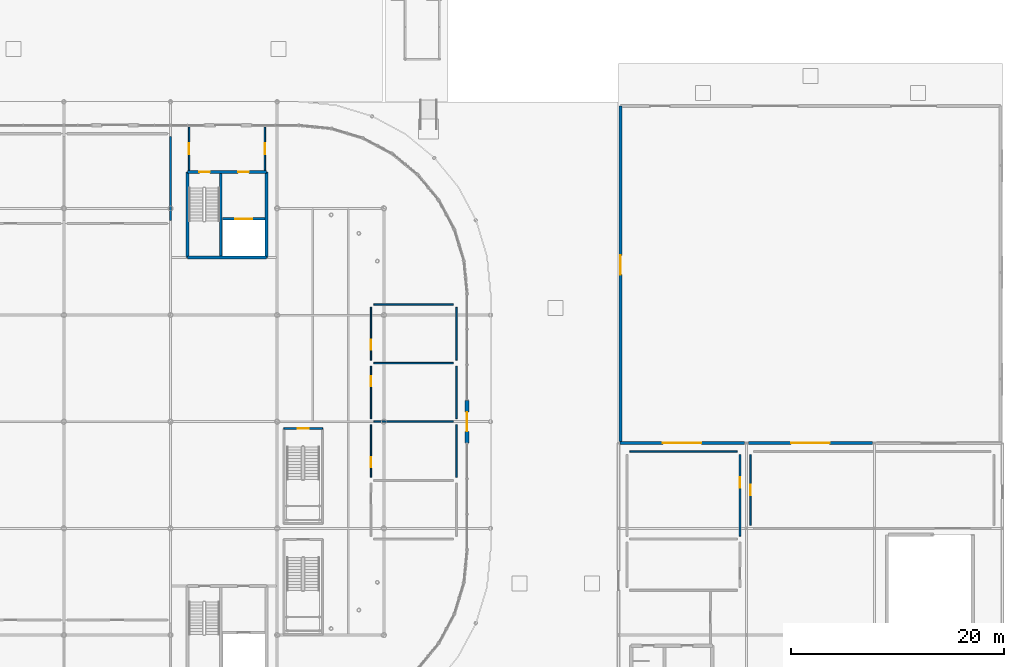
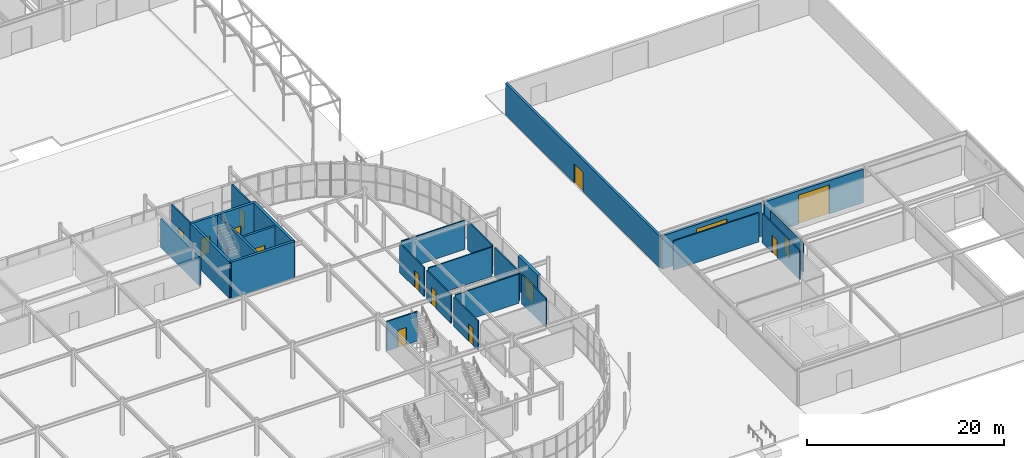
# One storey, part 94 of 119: 26 walls, 15 doors, 15 openings.
"""IFC4 building model written with IfcOpenShell, lengths in metres."""

from ifc_helpers import new_model, si_unit, derived_unit, direction, frame, frame_2d, origin, place, context, subcontext, project, spatial, rectangle, extrude, material, layer, layer_set, type_object, element, fill, save


model = new_model("IFC4")

# Units and contexts
model_context = context("Model", 3, precision=1e-05, world=origin(), true_north=direction((0.0, 1.0)))
body_context = subcontext(model_context, "Body", "Model", "MODEL_VIEW")
ifc_project = project(units=[si_unit("LENGTHUNIT", "METRE"), si_unit("AREAUNIT", "SQUARE_METRE"), si_unit("VOLUMEUNIT", "CUBIC_METRE"), si_unit("PLANEANGLEUNIT", "RADIAN"), si_unit("MASSUNIT", "GRAM", prefix="KILO"), derived_unit("THERMALTRANSMITTANCEUNIT", [(si_unit("POWERUNIT", "WATT"), 1), (si_unit("LENGTHUNIT", "METRE"), -2), (si_unit("THERMODYNAMICTEMPERATUREUNIT", "KELVIN"), -1)])], contexts=[model_context])

# Site, building, storey
site_placement = place(None, origin())
site = spatial("IfcSite", under=ifc_project, at=site_placement, CompositionType="ELEMENT")
building_placement = place(site_placement, origin())
building = spatial("IfcBuilding", under=site, at=building_placement, Name="Cinnabar Yard Market Hall", CompositionType="ELEMENT")
storey_placement = place(building_placement, origin())
storey = spatial("IfcBuildingStorey", under=building, at=storey_placement, Name="L00", CompositionType="ELEMENT", Elevation=0.0)

# Walls
ifc_material_1 = material(Name="Moisture-resistant tiled service wall")
ifc_layer_1 = layer(ifc_material_1, 0.139892578125)
ifc_layer_set_1 = layer_set([ifc_layer_1], Name="Moisture-resistant tiled service wall")
wall_type_1 = type_object("IfcWallType", Name="WL-PT140", PredefinedType="PLUMBINGWALL", material=ifc_layer_set_1)
wall_1_placement = place(storey_placement, frame((162.800048828125, 38.780029296875, 0.0), z_axis=(0.0, 0.0, 1.0), x_axis=(0.0, 1.0, 0.0)))
element("IfcWall", 1, at=wall_1_placement, inside=storey, type_object=wall_type_1, Name="Partition Market Hall Female WC east", PredefinedType="PLUMBINGWALL", context=body_context, shape_type="SweptSolid", body=[
    extrude(rectangle(XDim=4.93994140625, YDim=0.139892578125, at=frame_2d((2.469970703125, 0.0), x_axis=(1.0, 0.0))), origin(), (0.0, 0.0, 1.0), 3.6201171875),
])
wall_2_placement = place(storey_placement, frame((162.52001953125, 44.0, 0.0), z_axis=(0.0, 0.0, 1.0), x_axis=(-1.0, 0.0, 0.0)))
element("IfcWall", 2, at=wall_2_placement, inside=storey, type_object=wall_type_1, Name="Partition Market Hall Female WC north", PredefinedType="PLUMBINGWALL", context=body_context, shape_type="SweptSolid", body=[
    extrude(rectangle(XDim=7.43994140625, YDim=0.139892578125, at=frame_2d((3.719970703125, 0.0), x_axis=(1.0, 0.0))), origin(), (0.0, 0.0, 1.0), 3.6201171875),
])

# Wall, opening, door
wall_3_placement = place(storey_placement, frame((154.800048828125, 43.719970703125, 0.0), z_axis=(0.0, 0.0, 1.0), x_axis=(0.0, -1.0, 0.0)))
wall_3 = element("IfcWall", 3, at=wall_3_placement, inside=storey, type_object=wall_type_1, Name="Partition Market Hall Female WC west", PredefinedType="PLUMBINGWALL", context=body_context, shape_type="SweptSolid", body=[
    extrude(rectangle(XDim=4.93994140625, YDim=0.139892578125, at=frame_2d((2.469970703125, 0.0), x_axis=(1.0, 0.0))), origin(), (0.0, 0.0, 1.0), 3.6201171875),
])
opening_1_placement = place(wall_3_placement, frame((3.032470703125, 0.0, 0.0)))
opening_1 = element("IfcOpeningElement", 4, at=opening_1_placement, cuts=wall_3, Name="Opening ID-122", PredefinedType="OPENING", context=body_context, shape_type="SweptSolid", body=[
    extrude(rectangle(XDim=0.949951171875, YDim=2.14990234375, at=frame_2d((0.47509765625, 1.074951171875), x_axis=(1.0, 0.0))), frame((0.0, 0.079833984375, 0.0), z_axis=(0.0, -1.0, 0.0), x_axis=(1.0, 0.0, 0.0)), (0.0, 0.0, 1.0), 0.159912109375),
])
ifc_material_2 = material(Name="Solid-core spotted gum timber", Category="wood")
door_type_1 = type_object("IfcDoorType", Name="DR-D06", OperationType="NOTDEFINED", PredefinedType="DOOR", material=ifc_material_2)
door_1_placement = place(opening_1_placement, origin())
door_1 = element("IfcDoor", 5, at=door_1_placement, inside=storey, type_object=door_type_1, Name="Interior Door ID-122", OperationType="SINGLE_SWING_LEFT", OverallHeight=2.14990234375, OverallWidth=0.949951171875, PredefinedType="DOOR", context=body_context, shape_type="SweptSolid", body=[
    extrude(rectangle(XDim=0.949951171875, YDim=2.14990234375, at=frame_2d((0.47509765625, 1.074951171875), x_axis=(1.0, 0.0))), frame((0.0, 0.02490234375, 0.0), z_axis=(0.0, -1.0, 0.0), x_axis=(1.0, 0.0, 0.0)), (0.0, 0.0, 1.0), 0.050048828125),
])
fill(opening_1, door_1)

# Walls
wall_4_placement = place(storey_placement, frame((162.800048828125, 44.280029296875, 0.0), z_axis=(0.0, 0.0, 1.0), x_axis=(0.0, 1.0, 0.0)))
element("IfcWall", 6, at=wall_4_placement, inside=storey, type_object=wall_type_1, Name="Partition Market Hall Accessible WC east", PredefinedType="PLUMBINGWALL", context=body_context, shape_type="SweptSolid", body=[
    extrude(rectangle(XDim=4.93994140625, YDim=0.139892578125, at=frame_2d((2.469970703125, 0.0), x_axis=(1.0, 0.0))), origin(), (0.0, 0.0, 1.0), 3.6201171875),
])
wall_5_placement = place(storey_placement, frame((162.52001953125, 49.5, 0.0), z_axis=(0.0, 0.0, 1.0), x_axis=(-1.0, 0.0, 0.0)))
element("IfcWall", 7, at=wall_5_placement, inside=storey, type_object=wall_type_1, Name="Partition Market Hall Accessible WC north", PredefinedType="PLUMBINGWALL", context=body_context, shape_type="SweptSolid", body=[
    extrude(rectangle(XDim=7.43994140625, YDim=0.139892578125, at=frame_2d((3.719970703125, 0.0), x_axis=(1.0, 0.0))), origin(), (0.0, 0.0, 1.0), 3.6201171875),
])

# Wall, opening, door
wall_6_placement = place(storey_placement, frame((154.800048828125, 49.219970703125, 0.0), z_axis=(0.0, 0.0, 1.0), x_axis=(0.0, -1.0, 0.0)))
wall_6 = element("IfcWall", 8, at=wall_6_placement, inside=storey, type_object=wall_type_1, Name="Partition Market Hall Accessible WC west", PredefinedType="PLUMBINGWALL", context=body_context, shape_type="SweptSolid", body=[
    extrude(rectangle(XDim=4.93994140625, YDim=0.139892578125, at=frame_2d((2.469970703125, 0.0), x_axis=(1.0, 0.0))), origin(), (0.0, 0.0, 1.0), 3.6201171875),
])
opening_2_placement = place(wall_6_placement, frame((0.96484375, 0.0, 0.0)))
opening_2 = element("IfcOpeningElement", 9, at=opening_2_placement, cuts=wall_6, Name="Opening ID-123", PredefinedType="OPENING", context=body_context, shape_type="SweptSolid", body=[
    extrude(rectangle(XDim=0.919921875, YDim=2.14990234375, at=frame_2d((0.4599609375, 1.074951171875), x_axis=(1.0, 0.0))), frame((0.0, 0.079833984375, 0.0), z_axis=(0.0, -1.0, 0.0), x_axis=(1.0, 0.0, 0.0)), (0.0, 0.0, 1.0), 0.159912109375),
])
door_type_2 = type_object("IfcDoorType", Name="DR-D07", OperationType="NOTDEFINED", PredefinedType="DOOR", material=ifc_material_2)
door_2_placement = place(opening_2_placement, origin())
door_2 = element("IfcDoor", 10, at=door_2_placement, inside=storey, type_object=door_type_2, Name="Interior Door ID-123", OperationType="SINGLE_SWING_RIGHT", OverallHeight=2.14990234375, OverallWidth=0.919921875, PredefinedType="DOOR", context=body_context, shape_type="SweptSolid", body=[
    extrude(rectangle(XDim=0.919921875, YDim=2.14990234375, at=frame_2d((0.4599609375, 1.074951171875), x_axis=(1.0, 0.0))), frame((0.0, 0.02490234375, 0.0), z_axis=(0.0, -1.0, 0.0), x_axis=(1.0, 0.0, 0.0)), (0.0, 0.0, 1.0), 0.050048828125),
])
fill(opening_2, door_2)

# Walls
wall_7_placement = place(storey_placement, frame((162.800048828125, 49.780029296875, 0.0), z_axis=(0.0, 0.0, 1.0), x_axis=(0.0, 1.0, 0.0)))
element("IfcWall", 11, at=wall_7_placement, inside=storey, type_object=wall_type_1, Name="Partition Changing Places Adult Change Facility east", PredefinedType="PLUMBINGWALL", context=body_context, shape_type="SweptSolid", body=[
    extrude(rectangle(XDim=4.93994140625, YDim=0.139892578125, at=frame_2d((2.469970703125, 0.0), x_axis=(1.0, 0.0))), origin(), (0.0, 0.0, 1.0), 3.6201171875),
])
wall_8_placement = place(storey_placement, frame((162.52001953125, 55.0, 0.0), z_axis=(0.0, 0.0, 1.0), x_axis=(-1.0, 0.0, 0.0)))
element("IfcWall", 12, at=wall_8_placement, inside=storey, type_object=wall_type_1, Name="Partition Changing Places Adult Change Facility north", PredefinedType="PLUMBINGWALL", context=body_context, shape_type="SweptSolid", body=[
    extrude(rectangle(XDim=7.43994140625, YDim=0.139892578125, at=frame_2d((3.719970703125, 0.0), x_axis=(1.0, 0.0))), origin(), (0.0, 0.0, 1.0), 3.6201171875),
])

# Wall, opening, door
wall_9_placement = place(storey_placement, frame((154.800048828125, 54.719970703125, 0.0), z_axis=(0.0, 0.0, 1.0), x_axis=(0.0, -1.0, 0.0)))
wall_9 = element("IfcWall", 13, at=wall_9_placement, inside=storey, type_object=wall_type_1, Name="Partition Changing Places Adult Change Facility west", PredefinedType="PLUMBINGWALL", context=body_context, shape_type="SweptSolid", body=[
    extrude(rectangle(XDim=4.93994140625, YDim=0.139892578125, at=frame_2d((2.469970703125, 0.0), x_axis=(1.0, 0.0))), origin(), (0.0, 0.0, 1.0), 3.6201171875),
])
opening_3_placement = place(wall_9_placement, frame((3.032470703125, 0.0, 0.0)))
opening_3 = element("IfcOpeningElement", 14, at=opening_3_placement, cuts=wall_9, Name="Opening ID-124", PredefinedType="OPENING", context=body_context, shape_type="SweptSolid", body=[
    extrude(rectangle(XDim=0.949951171875, YDim=2.14990234375, at=frame_2d((0.47509765625, 1.074951171875), x_axis=(1.0, 0.0))), frame((0.0, 0.079833984375, 0.0), z_axis=(0.0, -1.0, 0.0), x_axis=(1.0, 0.0, 0.0)), (0.0, 0.0, 1.0), 0.159912109375),
])
door_3_placement = place(opening_3_placement, origin())
door_3 = element("IfcDoor", 15, at=door_3_placement, inside=storey, type_object=door_type_1, Name="Interior Door ID-124", OperationType="SINGLE_SWING_LEFT", OverallHeight=2.14990234375, OverallWidth=0.949951171875, PredefinedType="DOOR", context=body_context, shape_type="SweptSolid", body=[
    extrude(rectangle(XDim=0.949951171875, YDim=2.14990234375, at=frame_2d((0.47509765625, 1.074951171875), x_axis=(1.0, 0.0))), frame((0.0, 0.02490234375, 0.0), z_axis=(0.0, -1.0, 0.0), x_axis=(1.0, 0.0, 0.0)), (0.0, 0.0, 1.0), 0.050048828125),
])
fill(opening_3, door_3)

ifc_material_3 = material(Name="Fire-rated steel-stud plasterboard", Category="steel")
ifc_layer_2 = layer(ifc_material_3, 0.14990234375)
ifc_layer_set_2 = layer_set([ifc_layer_2], Name="Fire-rated steel-stud plasterboard")
wall_type_2 = type_object("IfcWallType", Name="WL-PT150", PredefinedType="PARTITIONING", material=ifc_layer_set_2)
wall_10_placement = place(storey_placement, frame((150.260009765625, 43.360107421875, 0.0), z_axis=(0.0, 0.0, 1.0), x_axis=(-1.0, 0.0, 0.0)))
wall_10 = element("IfcWall", 16, at=wall_10_placement, inside=storey, type_object=wall_type_2, Name="Stair ST-F2 Shaft Wall N L00", PredefinedType="PARTITIONING", context=body_context, shape_type="SweptSolid", body=[
    extrude(rectangle(XDim=3.6201171875, YDim=0.14990234375, at=frame_2d((1.81005859375, 0.0), x_axis=(1.0, 0.0))), origin(), (0.0, 0.0, 1.0), 3.659912109375),
])
opening_4_placement = place(wall_10_placement, frame((1.31005859375, 0.0, 0.0)))
opening_4 = element("IfcOpeningElement", 17, at=opening_4_placement, cuts=wall_10, Name="Opening CD-068", PredefinedType="OPENING", context=body_context, shape_type="SweptSolid", body=[
    extrude(rectangle(XDim=1.0, YDim=2.14990234375, at=frame_2d((0.5, 1.074951171875), x_axis=(1.0, 0.0))), frame((0.0, 0.0849609375, 0.0), z_axis=(0.0, -1.0, 0.0), x_axis=(1.0, 0.0, 0.0)), (0.0, 0.0, 1.0), 0.169921875),
])
door_type_3 = type_object("IfcDoorType", Name="DR-D05", OperationType="NOTDEFINED", PredefinedType="DOOR", material=ifc_material_2)
door_4_placement = place(opening_4_placement, origin())
door_4 = element("IfcDoor", 18, at=door_4_placement, inside=storey, type_object=door_type_3, Name="Stair Door CD-068", OperationType="SINGLE_SWING_LEFT", OverallHeight=2.14990234375, OverallWidth=1.0, PredefinedType="DOOR", context=body_context, shape_type="SweptSolid", body=[
    extrude(rectangle(XDim=1.0, YDim=2.14990234375, at=frame_2d((0.5, 1.074951171875), x_axis=(1.0, 0.0))), frame((0.0, 0.02490234375, 0.0), z_axis=(0.0, -1.0, 0.0), x_axis=(1.0, 0.0, 0.0)), (0.0, 0.0, 1.0), 0.050048828125),
])
fill(opening_4, door_4)

wall_11_placement = place(storey_placement, frame((137.75, 71.6201171875, 0.0), z_axis=(0.0, 0.0, 1.0), x_axis=(0.0, -1.0, 0.0)))
wall_11 = element("IfcWall", 19, at=wall_11_placement, inside=storey, type_object=wall_type_2, Name="Protected Exit Lobby C7 W", PredefinedType="PARTITIONING", context=body_context, shape_type="SweptSolid", body=[
    extrude(rectangle(XDim=4.0400390625, YDim=0.14990234375, at=frame_2d((2.02001953125, 0.0), x_axis=(1.0, 0.0))), origin(), (0.0, 0.0, 1.0), 4.199951171875),
])
opening_5_placement = place(wall_11_placement, frame((1.52001953125, 0.0, 0.0)))
opening_5 = element("IfcOpeningElement", 20, at=opening_5_placement, cuts=wall_11, Name="Opening CD-087", PredefinedType="OPENING", context=body_context, shape_type="SweptSolid", body=[
    extrude(rectangle(XDim=1.0, YDim=2.14990234375, at=frame_2d((0.5, 1.074951171875), x_axis=(1.0, 0.0))), frame((0.0, 0.0849609375, 0.0), z_axis=(0.0, -1.0, 0.0), x_axis=(1.0, 0.0, 0.0)), (0.0, 0.0, 1.0), 0.169921875),
])
door_5_placement = place(opening_5_placement, origin())
door_5 = element("IfcDoor", 21, at=door_5_placement, inside=storey, type_object=door_type_3, Name="Exit Lobby Door CD-087", OperationType="SINGLE_SWING_LEFT", OverallHeight=2.14990234375, OverallWidth=1.0, PredefinedType="DOOR", context=body_context, shape_type="SweptSolid", body=[
    extrude(rectangle(XDim=1.0, YDim=2.14990234375, at=frame_2d((0.5, 1.074951171875), x_axis=(1.0, 0.0))), frame((0.0, 0.02490234375, 0.0), z_axis=(0.0, -1.0, 0.0), x_axis=(1.0, 0.0, 0.0)), (0.0, 0.0, 1.0), 0.050048828125),
])
fill(opening_5, door_5)

wall_12_placement = place(storey_placement, frame((144.85009765625, 67.580078125, 0.0), z_axis=(0.0, 0.0, 1.0), x_axis=(0.0, 1.0, 0.0)))
wall_12 = element("IfcWall", 22, at=wall_12_placement, inside=storey, type_object=wall_type_2, Name="Protected Exit Lobby C7 E", PredefinedType="PARTITIONING", context=body_context, shape_type="SweptSolid", body=[
    extrude(rectangle(XDim=4.0400390625, YDim=0.14990234375, at=frame_2d((2.02001953125, 0.0), x_axis=(1.0, 0.0))), origin(), (0.0, 0.0, 1.0), 4.199951171875),
])
opening_6_placement = place(wall_12_placement, frame((1.52001953125, 0.0, 0.0)))
opening_6 = element("IfcOpeningElement", 23, at=opening_6_placement, cuts=wall_12, Name="Opening CD-088", PredefinedType="OPENING", context=body_context, shape_type="SweptSolid", body=[
    extrude(rectangle(XDim=1.0, YDim=2.14990234375, at=frame_2d((0.5, 1.074951171875), x_axis=(1.0, 0.0))), frame((0.0, 0.0849609375, 0.0), z_axis=(0.0, -1.0, 0.0), x_axis=(1.0, 0.0, 0.0)), (0.0, 0.0, 1.0), 0.169921875),
])
door_6_placement = place(opening_6_placement, origin())
door_6 = element("IfcDoor", 24, at=door_6_placement, inside=storey, type_object=door_type_3, Name="Exit Lobby Door CD-088", OperationType="SINGLE_SWING_RIGHT", OverallHeight=2.14990234375, OverallWidth=1.0, PredefinedType="DOOR", context=body_context, shape_type="SweptSolid", body=[
    extrude(rectangle(XDim=1.0, YDim=2.14990234375, at=frame_2d((0.5, 1.074951171875), x_axis=(1.0, 0.0))), frame((0.0, 0.02490234375, 0.0), z_axis=(0.0, -1.0, 0.0), x_axis=(1.0, 0.0, 0.0)), (0.0, 0.0, 1.0), 0.050048828125),
])
fill(opening_6, door_6)

wall_13_placement = place(storey_placement, frame((190.39990234375, 40.919921875, 0.0), z_axis=(0.0, 0.0, 1.0), x_axis=(0.0, -1.0, 0.0)))
wall_13 = element("IfcWall", 25, at=wall_13_placement, inside=storey, type_object=wall_type_2, Name="Partition Enclosed Truck Loading Bays and Dock west", PredefinedType="PARTITIONING", context=body_context, shape_type="SweptSolid", body=[
    extrude(rectangle(XDim=6.639892578125, YDim=0.14990234375, at=frame_2d((3.31982421875, 0.0), x_axis=(1.0, 0.0))), origin(), (0.0, 0.0, 1.0), 3.6201171875),
])
opening_7_placement = place(wall_13_placement, frame((2.820068359375, 0.0, 0.0)))
opening_7 = element("IfcOpeningElement", 26, at=opening_7_placement, cuts=wall_13, Name="Opening ID-139", PredefinedType="OPENING", context=body_context, shape_type="SweptSolid", body=[
    extrude(rectangle(XDim=1.0, YDim=2.14990234375, at=frame_2d((0.5, 1.074951171875), x_axis=(1.0, 0.0))), frame((0.0, 0.0849609375, 0.0), z_axis=(0.0, -1.0, 0.0), x_axis=(1.0, 0.0, 0.0)), (0.0, 0.0, 1.0), 0.169921875),
])
door_7_placement = place(opening_7_placement, origin())
door_7 = element("IfcDoor", 27, at=door_7_placement, inside=storey, type_object=door_type_3, Name="Interior Door ID-139", OperationType="SINGLE_SWING_RIGHT", OverallHeight=2.14990234375, OverallWidth=1.0, PredefinedType="DOOR", context=body_context, shape_type="SweptSolid", body=[
    extrude(rectangle(XDim=1.0, YDim=2.14990234375, at=frame_2d((0.5, 1.074951171875), x_axis=(1.0, 0.0))), frame((0.0, 0.02490234375, 0.0), z_axis=(0.0, -1.0, 0.0), x_axis=(1.0, 0.0, 0.0)), (0.0, 0.0, 1.0), 0.050048828125),
])
fill(opening_7, door_7)

wall_14_placement = place(storey_placement, frame((189.39990234375, 33.280029296875, 0.0), z_axis=(0.0, 0.0, 1.0), x_axis=(0.0, 1.0, 0.0)))
wall_14 = element("IfcWall", 28, at=wall_14_placement, inside=storey, type_object=wall_type_2, Name="Partition Organic Compactor and Recycling Room east", PredefinedType="PARTITIONING", context=body_context, shape_type="SweptSolid", body=[
    extrude(rectangle(XDim=7.639892578125, YDim=0.14990234375, at=frame_2d((3.81982421875, 0.0), x_axis=(1.0, 0.0))), origin(), (0.0, 0.0, 1.0), 3.6201171875),
])
opening_8_placement = place(wall_14_placement, frame((4.51513671875, 0.0, 0.0)))
opening_8 = element("IfcOpeningElement", 29, at=opening_8_placement, cuts=wall_14, Name="Opening ID-141", PredefinedType="OPENING", context=body_context, shape_type="SweptSolid", body=[
    extrude(rectangle(XDim=1.0, YDim=2.14990234375, at=frame_2d((0.5, 1.074951171875), x_axis=(1.0, 0.0))), frame((0.0, 0.0849609375, 0.0), z_axis=(0.0, -1.0, 0.0), x_axis=(1.0, 0.0, 0.0)), (0.0, 0.0, 1.0), 0.169921875),
])
door_8_placement = place(opening_8_placement, origin())
door_8 = element("IfcDoor", 30, at=door_8_placement, inside=storey, type_object=door_type_3, Name="Interior Door ID-141", OperationType="SINGLE_SWING_RIGHT", OverallHeight=2.14990234375, OverallWidth=1.0, PredefinedType="DOOR", context=body_context, shape_type="SweptSolid", body=[
    extrude(rectangle(XDim=1.0, YDim=2.14990234375, at=frame_2d((0.5, 1.074951171875), x_axis=(1.0, 0.0))), frame((0.0, 0.02490234375, 0.0), z_axis=(0.0, -1.0, 0.0), x_axis=(1.0, 0.0, 0.0)), (0.0, 0.0, 1.0), 0.050048828125),
])
fill(opening_8, door_8)

# Walls
wall_15_placement = place(storey_placement, frame((189.1201171875, 41.199951171875, 0.0), z_axis=(0.0, 0.0, 1.0), x_axis=(-1.0, 0.0, 0.0)))
element("IfcWall", 31, at=wall_15_placement, inside=storey, type_object=wall_type_2, Name="Partition Organic Compactor and Recycling Room north", PredefinedType="PARTITIONING", context=body_context, shape_type="SweptSolid", body=[
    extrude(rectangle(XDim=10.0400390625, YDim=0.14990234375, at=frame_2d((5.02001953125, 0.0), x_axis=(1.0, 0.0))), origin(), (0.0, 0.0, 1.0), 3.6201171875),
])
ifc_material_4 = material(Name="Demountable timber-framed stall partition", Category="wood")
ifc_layer_3 = layer(ifc_material_4, 0.199951171875)
ifc_layer_set_3 = layer_set([ifc_layer_3], Name="Demountable timber-framed stall partition")
wall_type_3 = type_object("IfcWallType", Name="WL-PT200", PredefinedType="MOVABLE", material=ifc_layer_set_3)
wall_16_placement = place(storey_placement, frame((136.0, 62.8798828125, 0.0), z_axis=(0.0, 0.0, 1.0), x_axis=(0.0, 1.0, 0.0)))
element("IfcWall", 32, at=wall_16_placement, inside=storey, type_object=wall_type_3, Name="Partition Seafood and Oyster Stall 08 east", PredefinedType="MOVABLE", context=body_context, shape_type="SweptSolid", body=[
    extrude(rectangle(XDim=7.840087890625, YDim=0.199951171875, at=frame_2d((3.919921875, 0.0), x_axis=(1.0, 0.0))), origin(), (0.0, 0.0, 1.0), 3.6201171875),
])
ifc_material_5 = material(Name="Concrete 40 MPa", Category="concrete")
ifc_layer_4 = layer(ifc_material_5, 0.300048828125)
ifc_layer_set_4 = layer_set([ifc_layer_4], Name="Concrete 40 MPa")
wall_type_4 = type_object("IfcWallType", Name="WL-W-CORE", PredefinedType="SHEAR", material=ifc_layer_set_4)
for number, where, z_axis, x_axis, name in (
    (33, (137.60009765625, 67.39990234375, 0.0), (0.0, 0.0, 1.0), (0.0, -1.0, 0.0), "Core C7 West Shear Wall L00"),
    (34, (145.0, 59.39990234375, 0.0), (0.0, 0.0, 1.0), (0.0, 1.0, 0.0), "Core C7 East Shear Wall L00"),
):
    element("IfcWall", number, at=place(storey_placement, frame(where, z_axis=z_axis, x_axis=x_axis)), inside=storey, type_object=wall_type_4, Name=name, PredefinedType="SHEAR", context=body_context, shape_type="SweptSolid", body=[
        extrude(rectangle(XDim=8.0, YDim=0.300048828125, at=frame_2d((4.0, 0.0), x_axis=(1.0, 0.0))), origin(), (0.0, 0.0, 1.0), 4.5),
    ])
wall_17_placement = place(storey_placement, frame((137.60009765625, 59.39990234375, 0.0), z_axis=(0.0, 0.0, 1.0), x_axis=(1.0, 0.0, 0.0)))
element("IfcWall", 35, at=wall_17_placement, inside=storey, type_object=wall_type_4, Name="Core C7 South Shear Wall L00", PredefinedType="SHEAR", context=body_context, shape_type="SweptSolid", body=[
    extrude(rectangle(XDim=7.39990234375, YDim=0.300048828125, at=frame_2d((3.699951171875, 0.0), x_axis=(1.0, 0.0))), origin(), (0.0, 0.0, 1.0), 4.5),
])

# Wall, openings, doors
wall_18_placement = place(storey_placement, frame((145.0, 67.39990234375, 0.0), z_axis=(0.0, 0.0, 1.0), x_axis=(-1.0, 0.0, 0.0)))
wall_18 = element("IfcWall", 36, at=wall_18_placement, inside=storey, type_object=wall_type_4, Name="Core C7 North Shear Wall L00", PredefinedType="SHEAR", context=body_context, shape_type="SweptSolid", body=[
    extrude(rectangle(XDim=7.39990234375, YDim=0.300048828125, at=frame_2d((3.699951171875, 0.0), x_axis=(1.0, 0.0))), origin(), (0.0, 0.0, 1.0), 4.5),
])
opening_9_placement = place(wall_18_placement, frame((1.64990234375, 0.0, 0.0)))
opening_9 = element("IfcOpeningElement", 37, at=opening_9_placement, cuts=wall_18, Name="Opening CD-055", PredefinedType="OPENING", context=body_context, shape_type="SweptSolid", body=[
    extrude(rectangle(XDim=1.0, YDim=2.14990234375, at=frame_2d((0.5, 1.074951171875), x_axis=(1.0, 0.0))), frame((0.0, 0.159912109375, 0.0), z_axis=(0.0, -1.0, 0.0), x_axis=(1.0, 0.0, 0.0)), (0.0, 0.0, 1.0), 0.320068359375),
])
opening_10_placement = place(wall_18_placement, frame((5.300048828125, 0.0, 0.0)))
opening_10 = element("IfcOpeningElement", 38, at=opening_10_placement, cuts=wall_18, Name="Opening CD-056", PredefinedType="OPENING", context=body_context, shape_type="SweptSolid", body=[
    extrude(rectangle(XDim=1.0, YDim=2.14990234375, at=frame_2d((0.5, 1.074951171875), x_axis=(1.0, 0.0))), frame((0.0, 0.159912109375, 0.0), z_axis=(0.0, -1.0, 0.0), x_axis=(1.0, 0.0, 0.0)), (0.0, 0.0, 1.0), 0.320068359375),
])
door_9_placement = place(opening_9_placement, origin())
door_9 = element("IfcDoor", 39, at=door_9_placement, inside=storey, type_object=door_type_3, Name="Core Door CD-055", OperationType="SINGLE_SWING_RIGHT", OverallHeight=2.14990234375, OverallWidth=1.0, PredefinedType="DOOR", context=body_context, shape_type="SweptSolid", body=[
    extrude(rectangle(XDim=1.0, YDim=2.14990234375, at=frame_2d((0.5, 1.074951171875), x_axis=(1.0, 0.0))), frame((0.0, 0.02490234375, 0.0), z_axis=(0.0, -1.0, 0.0), x_axis=(1.0, 0.0, 0.0)), (0.0, 0.0, 1.0), 0.050048828125),
])
fill(opening_9, door_9)
door_10_placement = place(opening_10_placement, origin())
door_10 = element("IfcDoor", 40, at=door_10_placement, inside=storey, type_object=door_type_3, Name="Core Door CD-056", OperationType="SINGLE_SWING_LEFT", OverallHeight=2.14990234375, OverallWidth=1.0, PredefinedType="DOOR", context=body_context, shape_type="SweptSolid", body=[
    extrude(rectangle(XDim=1.0, YDim=2.14990234375, at=frame_2d((0.5, 1.074951171875), x_axis=(1.0, 0.0))), frame((0.0, 0.02490234375, 0.0), z_axis=(0.0, -1.0, 0.0), x_axis=(1.0, 0.0, 0.0)), (0.0, 0.0, 1.0), 0.050048828125),
])
fill(opening_10, door_10)

# Wall, opening, door
ifc_material_6 = material(Name="Red sandstone ashlar over Concrete 32 MPa", Category="masonry")
ifc_layer_5 = layer(ifc_material_6, 0.35009765625)
ifc_layer_set_5 = layer_set([ifc_layer_5], Name="Red sandstone ashlar over Concrete 32 MPa")
wall_type_5 = type_object("IfcWallType", Name="WL-W-EXT1", PredefinedType="SOLIDWALL", material=ifc_layer_set_5)
wall_19_placement = place(storey_placement, frame((163.800048828125, 42.0, 0.0), z_axis=(0.0, 0.0, 1.0), x_axis=(0.0, 1.0, 0.0)))
wall_19 = element("IfcWall", 41, at=wall_19_placement, inside=storey, type_object=wall_type_5, Name="Market Hall East Service Portal", PredefinedType="SOLIDWALL", context=body_context, shape_type="SweptSolid", body=[
    extrude(rectangle(XDim=4.0, YDim=0.35009765625, at=frame_2d((2.0, 0.0), x_axis=(1.0, 0.0))), origin(), (0.0, 0.0, 1.0), 4.239990234375),
])
opening_11_placement = place(wall_19_placement, frame((1.10009765625, 0.0, 0.0)))
opening_11 = element("IfcOpeningElement", 42, at=opening_11_placement, cuts=wall_19, Name="Opening ED-012", PredefinedType="OPENING", context=body_context, shape_type="SweptSolid", body=[
    extrude(rectangle(XDim=1.800048828125, YDim=2.39990234375, at=frame_2d((0.89990234375, 1.199951171875), x_axis=(1.0, 0.0))), frame((0.0, 0.18505859375, 0.0), z_axis=(0.0, -1.0, 0.0), x_axis=(1.0, 0.0, 0.0)), (0.0, 0.0, 1.0), 0.3701171875),
])
ifc_material_7 = material(Name="Powder-coated steel Grade 300 (300 MPa)", Category="steel")
door_type_4 = type_object("IfcDoorType", Name="DR-D03", OperationType="NOTDEFINED", PredefinedType="DOOR", material=ifc_material_7)
door_11_placement = place(opening_11_placement, origin())
door_11 = element("IfcDoor", 43, at=door_11_placement, inside=storey, type_object=door_type_4, Name="Door ED-012", OperationType="DOUBLE_SWING_RIGHT", OverallHeight=2.39990234375, OverallWidth=1.800048828125, PredefinedType="DOOR", context=body_context, shape_type="SweptSolid", body=[
    extrude(rectangle(XDim=1.800048828125, YDim=2.39990234375, at=frame_2d((0.89990234375, 1.199951171875), x_axis=(1.0, 0.0))), frame((0.0, 0.02490234375, 0.0), z_axis=(0.0, -1.0, 0.0), x_axis=(1.0, 0.0, 0.0)), (0.0, 0.0, 1.0), 0.050048828125),
])
fill(opening_11, door_11)

ifc_material_8 = material(Name="Insulated precast Concrete 32 MPa", Category="concrete")
ifc_layer_6 = layer(ifc_material_8, 0.300048828125)
ifc_layer_set_6 = layer_set([ifc_layer_6], Name="Insulated precast Concrete 32 MPa")
wall_type_6 = type_object("IfcWallType", Name="WL-W-EXT3", PredefinedType="SOLIDWALL", material=ifc_layer_set_6)
wall_20_placement = place(storey_placement, frame((189.800048828125, 42.0, 0.0), z_axis=(0.0, 0.0, 1.0), x_axis=(-1.0, 0.0, 0.0)))
wall_20 = element("IfcWall", 44, at=wall_20_placement, inside=storey, type_object=wall_type_6, Name="Loading Bay Portal Wall 1", PredefinedType="SOLIDWALL", context=body_context, shape_type="SweptSolid", body=[
    extrude(rectangle(XDim=11.650146484375, YDim=0.300048828125, at=frame_2d((5.8251953125, 0.0), x_axis=(1.0, 0.0))), origin(), (0.0, 0.0, 1.0), 4.14990234375),
])
opening_12_placement = place(wall_20_placement, frame((4.02490234375, 0.0, 0.0)))
opening_12 = element("IfcOpeningElement", 45, at=opening_12_placement, cuts=wall_20, Name="Opening ED-045", PredefinedType="OPENING", context=body_context, shape_type="SweptSolid", body=[
    extrude(rectangle(XDim=3.60009765625, YDim=3.60009765625, at=frame_2d((1.800048828125, 1.800048828125), x_axis=(1.0, 0.0))), frame((0.0, 0.159912109375, 0.0), z_axis=(0.0, -1.0, 0.0), x_axis=(1.0, 0.0, 0.0)), (0.0, 0.0, 1.0), 0.320068359375),
])
ifc_material_9 = material(Name="Galvanised steel Grade 300 (300 MPa) roller shutter", Category="steel")
door_type_5 = type_object("IfcDoorType", Name="DR-RS01", OperationType="NOTDEFINED", PredefinedType="DOOR", material=ifc_material_9)
door_12_placement = place(opening_12_placement, origin())
door_12 = element("IfcDoor", 46, at=door_12_placement, inside=storey, type_object=door_type_5, Name="Door ED-045", OperationType="ROLLINGUP", OverallHeight=3.60009765625, OverallWidth=3.60009765625, PredefinedType="DOOR", context=body_context, shape_type="SweptSolid", body=[
    extrude(rectangle(XDim=3.60009765625, YDim=3.60009765625, at=frame_2d((1.800048828125, 1.800048828125), x_axis=(1.0, 0.0))), frame((0.0, 0.02490234375, 0.0), z_axis=(0.0, -1.0, 0.0), x_axis=(1.0, 0.0, 0.0)), (0.0, 0.0, 1.0), 0.050048828125),
])
fill(opening_12, door_12)

wall_21_placement = place(storey_placement, frame((201.800048828125, 42.0, 0.0), z_axis=(0.0, 0.0, 1.0), x_axis=(-1.0, 0.0, 0.0)))
wall_21 = element("IfcWall", 47, at=wall_21_placement, inside=storey, type_object=wall_type_6, Name="Loading Bay Portal Wall 2", PredefinedType="SOLIDWALL", context=body_context, shape_type="SweptSolid", body=[
    extrude(rectangle(XDim=11.60009765625, YDim=0.300048828125, at=frame_2d((5.800048828125, 0.0), x_axis=(1.0, 0.0))), origin(), (0.0, 0.0, 1.0), 4.14990234375),
])
opening_13_placement = place(wall_21_placement, frame((4.0, 0.0, 0.0)))
opening_13 = element("IfcOpeningElement", 48, at=opening_13_placement, cuts=wall_21, Name="Opening ED-046", PredefinedType="OPENING", context=body_context, shape_type="SweptSolid", body=[
    extrude(rectangle(XDim=3.60009765625, YDim=3.60009765625, at=frame_2d((1.800048828125, 1.800048828125), x_axis=(1.0, 0.0))), frame((0.0, 0.159912109375, 0.0), z_axis=(0.0, -1.0, 0.0), x_axis=(1.0, 0.0, 0.0)), (0.0, 0.0, 1.0), 0.320068359375),
])
door_13_placement = place(opening_13_placement, origin())
door_13 = element("IfcDoor", 49, at=door_13_placement, inside=storey, type_object=door_type_5, Name="Door ED-046", OperationType="ROLLINGUP", OverallHeight=3.60009765625, OverallWidth=3.60009765625, PredefinedType="DOOR", context=body_context, shape_type="SweptSolid", body=[
    extrude(rectangle(XDim=3.60009765625, YDim=3.60009765625, at=frame_2d((1.800048828125, 1.800048828125), x_axis=(1.0, 0.0))), frame((0.0, 0.02490234375, 0.0), z_axis=(0.0, -1.0, 0.0), x_axis=(1.0, 0.0, 0.0)), (0.0, 0.0, 1.0), 0.050048828125),
])
fill(opening_13, door_13)

# Wall
ifc_layer_7 = layer(ifc_material_5, 0.25)
ifc_layer_set_7 = layer_set([ifc_layer_7], Name="Concrete 40 MPa")
wall_type_7 = type_object("IfcWallType", Name="WL-W-SHAFT", PredefinedType="SHEAR", material=ifc_layer_set_7)
wall_22_placement = place(storey_placement, frame((140.715087890625, 59.550048828125, 0.0), z_axis=(0.0, 0.0, 1.0), x_axis=(0.0, 1.0, 0.0)))
element("IfcWall", 50, at=wall_22_placement, inside=storey, type_object=wall_type_7, Name="Core C7 Shaft Divider L00", PredefinedType="SHEAR", context=body_context, shape_type="SweptSolid", body=[
    extrude(rectangle(XDim=7.699951171875, YDim=0.25, at=frame_2d((3.85009765625, 0.0), x_axis=(1.0, 0.0))), origin(), (0.0, 0.0, 1.0), 4.5),
])

# Wall, opening, door
wall_23_placement = place(storey_placement, frame((140.8798828125, 63.02001953125, 0.0), z_axis=(0.0, 0.0, 1.0), x_axis=(1.0, 0.0, 0.0)))
wall_23 = element("IfcWall", 51, at=wall_23_placement, inside=storey, type_object=wall_type_7, Name="Core C7 Lift Front Wall L00", PredefinedType="SHEAR", context=body_context, shape_type="SweptSolid", body=[
    extrude(rectangle(XDim=3.97021484375, YDim=0.25, at=frame_2d((1.985107421875, 0.0), x_axis=(1.0, 0.0))), origin(), (0.0, 0.0, 1.0), 4.239990234375),
])
opening_14_placement = place(wall_23_placement, frame((1.18505859375, 0.0, 0.0)))
opening_14 = element("IfcOpeningElement", 52, at=opening_14_placement, cuts=wall_23, Name="Opening LD-LG-01-L00", PredefinedType="OPENING", context=body_context, shape_type="SweptSolid", body=[
    extrude(rectangle(XDim=1.60009765625, YDim=2.300048828125, at=frame_2d((0.800048828125, 1.14990234375), x_axis=(1.0, 0.0))), frame((0.0, 0.135009765625, 0.0), z_axis=(0.0, -1.0, 0.0), x_axis=(1.0, 0.0, 0.0)), (0.0, 0.0, 1.0), 0.27001953125),
])
ifc_material_10 = material(Name="Heavy-duty stainless steel goods landing door", Category="steel")
door_type_6 = type_object("IfcDoorType", Name="DR-LD02", OperationType="NOTDEFINED", PredefinedType="DOOR", material=ifc_material_10)
door_14_placement = place(opening_14_placement, origin())
door_14 = element("IfcDoor", 53, at=door_14_placement, inside=storey, type_object=door_type_6, Name="Lift Landing Door LD-LG-01-L00", OperationType="SLIDING_TO_RIGHT", OverallHeight=2.300048828125, OverallWidth=1.60009765625, PredefinedType="DOOR", context=body_context, shape_type="SweptSolid", body=[
    extrude(rectangle(XDim=1.60009765625, YDim=2.300048828125, at=frame_2d((0.800048828125, 1.14990234375), x_axis=(1.0, 0.0))), frame((0.0, 0.02490234375, 0.0), z_axis=(0.0, -1.0, 0.0), x_axis=(1.0, 0.0, 0.0)), (0.0, 0.0, 1.0), 0.050048828125),
])
fill(opening_14, door_14)

ifc_material_11 = material(Name="Acoustic masonry Concrete 32 MPa", Category="masonry")
ifc_layer_8 = layer(ifc_material_11, 0.280029296875)
ifc_layer_set_8 = layer_set([ifc_layer_8], Name="Acoustic masonry Concrete 32 MPa")
wall_type_8 = type_object("IfcWallType", Name="WL-W-YRD1", PredefinedType="SOLIDWALL", material=ifc_layer_set_8)
wall_24_placement = place(storey_placement, frame((178.199951171875, 73.60009765625, 0.0), z_axis=(0.0, 0.0, 1.0), x_axis=(0.0, -1.0, 0.0)))
wall_24 = element("IfcWall", 54, at=wall_24_placement, inside=storey, type_object=wall_type_8, Name="Service Yard West Screen Wall", PredefinedType="SOLIDWALL", context=body_context, shape_type="SweptSolid", body=[
    extrude(rectangle(XDim=31.4501953125, YDim=0.280029296875, at=frame_2d((15.72509765625, 0.0), x_axis=(1.0, 0.0))), origin(), (0.0, 0.0, 1.0), 3.89990234375),
])
opening_15_placement = place(wall_24_placement, frame((14.0, 0.0, 0.0)))
opening_15 = element("IfcOpeningElement", 55, at=opening_15_placement, cuts=wall_24, Name="Opening ED-051", PredefinedType="OPENING", context=body_context, shape_type="SweptSolid", body=[
    extrude(rectangle(XDim=1.800048828125, YDim=2.39990234375, at=frame_2d((0.89990234375, 1.199951171875), x_axis=(1.0, 0.0))), frame((0.0, 0.14990234375, 0.0), z_axis=(0.0, -1.0, 0.0), x_axis=(1.0, 0.0, 0.0)), (0.0, 0.0, 1.0), 0.300048828125),
])
door_15_placement = place(opening_15_placement, origin())
door_15 = element("IfcDoor", 56, at=door_15_placement, inside=storey, type_object=door_type_4, Name="Door ED-051", OperationType="DOUBLE_SWING_RIGHT", OverallHeight=2.39990234375, OverallWidth=1.800048828125, PredefinedType="DOOR", context=body_context, shape_type="SweptSolid", body=[
    extrude(rectangle(XDim=1.800048828125, YDim=2.39990234375, at=frame_2d((0.89990234375, 1.199951171875), x_axis=(1.0, 0.0))), frame((0.0, 0.02490234375, 0.0), z_axis=(0.0, -1.0, 0.0), x_axis=(1.0, 0.0, 0.0)), (0.0, 0.0, 1.0), 0.050048828125),
])
fill(opening_15, door_15)

save(model, "model.ifc")
